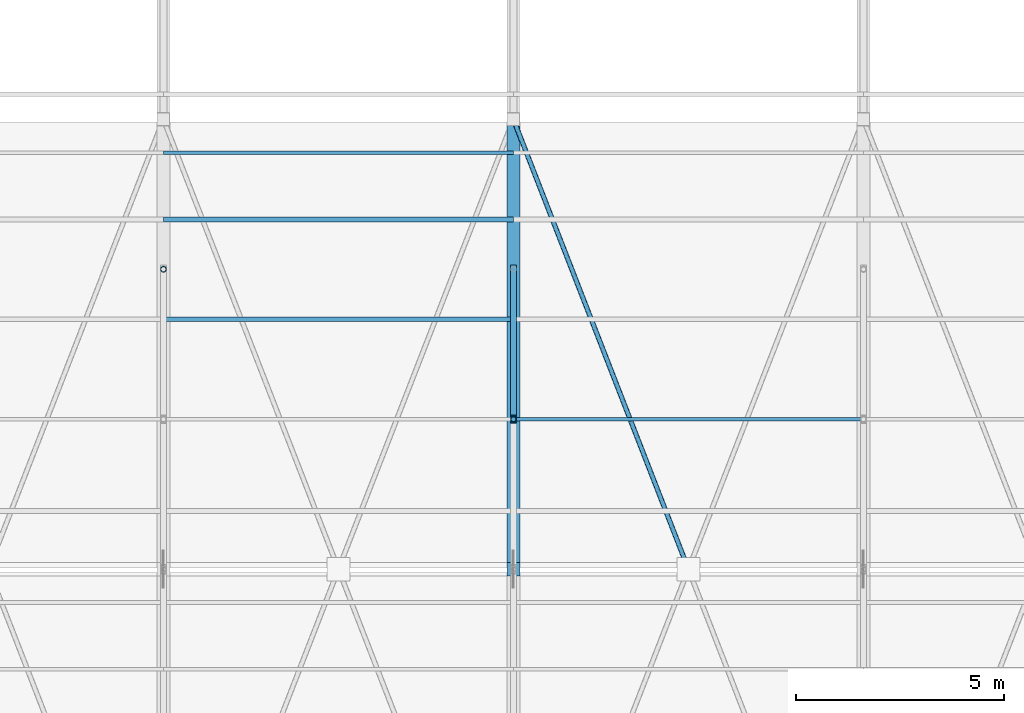
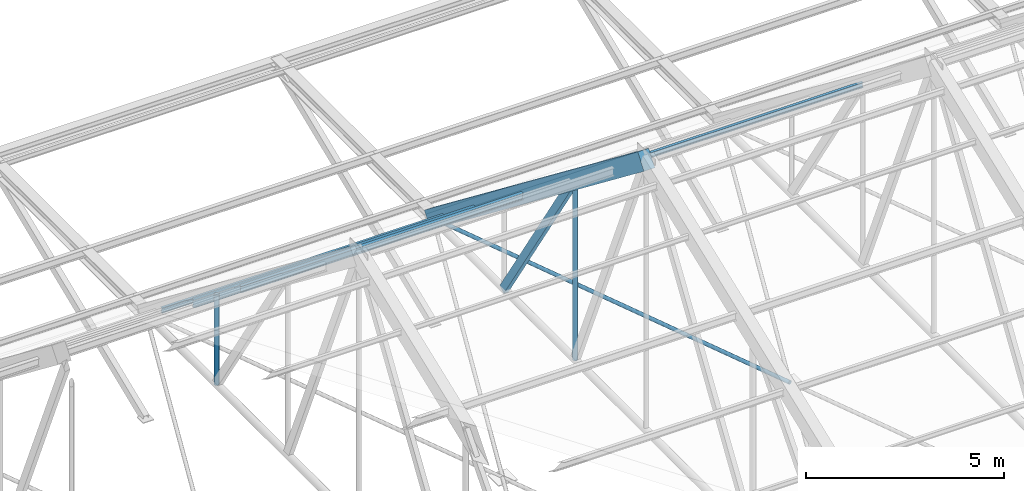
# One storey, part 122 of 217: 9 members.
"""IFC4 building model written with IfcOpenShell, lengths in metres."""

from ifc_helpers import new_model, si_unit, direction, frame, origin, origin_2d, place, context, subcontext, project, spatial, rectangle, hollow_rectangle, hollow_circle, i_section, extrude, material, material_profile, profile_set, type_object, element, save


model = new_model("IFC4")

# Units and contexts
model_context = context("Model", 3, precision=1e-05, world=origin(), true_north=direction((0.0, 1.0)))
body_context = subcontext(model_context, "Body", "Model", "MODEL_VIEW")
ifc_project = project(units=[si_unit("LENGTHUNIT", "METRE"), si_unit("AREAUNIT", "SQUARE_METRE"), si_unit("VOLUMEUNIT", "CUBIC_METRE"), si_unit("PLANEANGLEUNIT", "RADIAN"), si_unit("MASSUNIT", "GRAM", prefix="KILO")], contexts=[model_context])

# Site, building, storey
site_placement = place(None, origin())
site = spatial("IfcSite", under=ifc_project, at=site_placement, CompositionType="ELEMENT")
building_placement = place(site_placement, origin())
building = spatial("IfcBuilding", under=site, at=building_placement, Name="Mazaris Harbour Polytechnic", CompositionType="ELEMENT")
storey_placement = place(building_placement, frame((0.0, 0.0, 9.60009765625)))
storey = spatial("IfcBuildingStorey", under=building, at=storey_placement, Name="L02", CompositionType="ELEMENT", Elevation=9.60009765625)

# Members
ifc_material_1 = material(Name="Glulam GL32h", Category="wood")
ifc_material_profile_1 = material_profile(ifc_material_1, rectangle(XDim=0.320068359375, YDim=0.52001953125, at=origin_2d()), Name="RECT320x520")
ifc_profile_set_1 = profile_set([ifc_material_profile_1], Name="Glulam GL32h")
member_type_1 = type_object("IfcMemberType", Name="Glulam Top Chord 320x520", PredefinedType="CHORD", material=ifc_profile_set_1)
member_1_placement = place(storey_placement, frame((87.60009765625, 97.199951171875, 12.099853515625), z_axis=(0.0, 0.791130406401, -0.611647512926), x_axis=(-1.0, 0.0, 0.0)))
element("IfcMember", 1, at=member_1_placement, inside=storey, type_object=member_type_1, Name="Truss 5 North Glulam Top Chord", PredefinedType="CHORD", context=body_context, shape_type="SweptSolid", body=[
    extrude(rectangle(XDim=0.320068359375, YDim=0.52001953125, at=origin_2d()), origin(), (0.0, 0.0, 1.0), 13.6513671875),
])
ifc_material_2 = material(Name="Steel S355", Category="steel")
ifc_material_profile_2 = material_profile(ifc_material_2, i_section(OverallWidth=0.08203125, OverallDepth=0.159912109375, WebThickness=0.0048828125, FlangeThickness=0.00732421875, FilletRadius=0.009033203125, at=origin_2d()), Name="IPE 160")
ifc_profile_set_2 = profile_set([ifc_material_profile_2], Name="Steel S355")
member_type_2 = type_object("IfcMemberType", Name="Steel Purlin IPE160", PredefinedType="PURLIN", material=ifc_profile_set_2)
member_2_placement = place(storey_placement, frame((79.199951171875, 107.199951171875, 4.3310546875), z_axis=(1.0, 0.0, 0.0), x_axis=(0.0, 1.0, 0.0)))
element("IfcMember", 2, at=member_2_placement, inside=storey, type_object=member_type_2, Name="V1 Roof Purlin N-81", PredefinedType="PURLIN", context=body_context, shape_type="SweptSolid", body=[
    extrude(i_section(OverallWidth=0.08203125, OverallDepth=0.159912109375, WebThickness=0.0048828125, FlangeThickness=0.00732421875, FilletRadius=0.009033203125, at=origin_2d()), origin(), (0.0, 0.0, 1.0), 8.400146484375),
])
member_3_placement = place(storey_placement, frame((87.60009765625, 100.800048828125, 9.308837890625), z_axis=(1.0, 0.0, 0.0), x_axis=(0.0, 1.0, 0.0)))
element("IfcMember", 3, at=member_3_placement, inside=storey, type_object=member_type_2, Name="V1 Roof Purlin N-99", PredefinedType="PURLIN", context=body_context, shape_type="SweptSolid", body=[
    extrude(i_section(OverallWidth=0.08203125, OverallDepth=0.159912109375, WebThickness=0.0048828125, FlangeThickness=0.00732421875, FilletRadius=0.009033203125, at=origin_2d()), origin(), (0.0, 0.0, 1.0), 8.39990234375),
])
ifc_material_3 = material(Name="Steel S355", Category="steel")
ifc_material_profile_3 = material_profile(ifc_material_3, i_section(OverallWidth=0.10009765625, OverallDepth=0.199951171875, WebThickness=0.005615234375, FlangeThickness=0.008544921875, FilletRadius=0.011962890625, at=origin_2d()), Name="IPE 200")
ifc_profile_set_3 = profile_set([ifc_material_profile_3], Name="Steel S355")
member_type_3 = type_object("IfcMemberType", Name="Steel Purlin IPE200", PredefinedType="PURLIN", material=ifc_profile_set_3)
member_4_placement = place(storey_placement, frame((79.199951171875, 103.199951171875, 7.4130859375), z_axis=(1.0, 0.0, 0.0), x_axis=(0.0, 1.0, 0.0)))
element("IfcMember", 4, at=member_4_placement, inside=storey, type_object=member_type_3, Name="V1 Roof Purlin N-79", PredefinedType="PURLIN", context=body_context, shape_type="SweptSolid", body=[
    extrude(i_section(OverallWidth=0.10009765625, OverallDepth=0.199951171875, WebThickness=0.005615234375, FlangeThickness=0.008544921875, FilletRadius=0.011962890625, at=origin_2d()), origin(), (0.0, 0.0, 1.0), 8.400146484375),
])
ifc_material_4 = material(Name="Steel S355", Category="steel")
ifc_material_profile_4 = material_profile(ifc_material_4, i_section(OverallWidth=0.1201171875, OverallDepth=0.239990234375, WebThickness=0.006103515625, FlangeThickness=0.009765625, FilletRadius=0.014892578125, at=origin_2d()), Name="IPE 240")
ifc_profile_set_4 = profile_set([ifc_material_profile_4], Name="Steel S355")
member_type_4 = type_object("IfcMemberType", Name="Steel Purlin IPE240", PredefinedType="PURLIN", material=ifc_profile_set_4)
member_5_placement = place(storey_placement, frame((79.199951171875, 105.60009765625, 5.5166015625), z_axis=(1.0, 0.0, 0.0), x_axis=(0.0, 1.0, 0.0)))
element("IfcMember", 5, at=member_5_placement, inside=storey, type_object=member_type_4, Name="V1 Roof Purlin N-80", PredefinedType="PURLIN", context=body_context, shape_type="SweptSolid", body=[
    extrude(i_section(OverallWidth=0.1201171875, OverallDepth=0.239990234375, WebThickness=0.006103515625, FlangeThickness=0.009765625, FilletRadius=0.014892578125, at=origin_2d()), origin(), (0.0, 0.0, 1.0), 8.400146484375),
])
ifc_material_5 = material(Name="Steel S355", Category="steel")
ifc_material_profile_5 = material_profile(ifc_material_5, hollow_rectangle(XDim=0.139892578125, YDim=0.239990234375, WallThickness=0.010009765625, at=origin_2d()), Name="RHS 140x240x10.0")
ifc_profile_set_5 = profile_set([ifc_material_profile_5], Name="Steel S355")
member_type_5 = type_object("IfcMemberType", Name="Steel Truss Diagonal RHS140x240", PredefinedType="BRACE", material=ifc_profile_set_5)
member_6_placement = place(storey_placement, frame((87.60009765625, 104.39990234375, 3.75), z_axis=(0.0, -0.543028315091, 0.839714385377), x_axis=(1.0, 0.0, 0.0)))
element("IfcMember", 6, at=member_6_placement, inside=storey, type_object=member_type_5, Name="Truss 5 Web Diagonal N2", PredefinedType="BRACE", context=body_context, shape_type="SweptSolid", body=[
    extrude(hollow_rectangle(XDim=0.139892578125, YDim=0.239990234375, WallThickness=0.010009765625, at=origin_2d()), origin(), (0.0, 0.0, 1.0), 6.629150390625),
])
ifc_material_6 = material(Name="Steel S355", Category="steel")
ifc_material_profile_6 = material_profile(ifc_material_6, hollow_circle(Radius=0.06982421875, WallThickness=0.008056640625, at=origin_2d()), Name="CHS 139.7x8.0")
ifc_profile_set_6 = profile_set([ifc_material_profile_6], Name="Steel S355")
member_type_6 = type_object("IfcMemberType", Name="Steel Truss Strut CHS139", PredefinedType="STRUT", material=ifc_profile_set_6)
member_7_placement = place(storey_placement, frame((79.199951171875, 104.39990234375, 3.75), z_axis=(0.0, 0.0, 1.0), x_axis=(1.0, 0.0, 0.0)))
element("IfcMember", 7, at=member_7_placement, inside=storey, type_object=member_type_6, Name="Truss 4 Web Post N2", PredefinedType="STRUT", context=body_context, shape_type="SweptSolid", body=[
    extrude(hollow_circle(Radius=0.06982421875, WallThickness=0.008056640625, at=origin_2d()), origin(), (0.0, 0.0, 1.0), 2.783203125),
])
member_8_placement = place(storey_placement, frame((87.60009765625, 100.800048828125, 3.75), z_axis=(0.0, 0.0, 1.0), x_axis=(1.0, 0.0, 0.0)))
element("IfcMember", 8, at=member_8_placement, inside=storey, type_object=member_type_6, Name="Truss 5 Web Post N1", PredefinedType="STRUT", context=body_context, shape_type="SweptSolid", body=[
    extrude(hollow_circle(Radius=0.06982421875, WallThickness=0.008056640625, at=origin_2d()), origin(), (0.0, 0.0, 1.0), 5.566650390625),
])
ifc_material_7 = material(Name="Steel S355", Category="steel")
ifc_material_profile_7 = material_profile(ifc_material_7, hollow_circle(Radius=0.05712890625, WallThickness=0.00634765625, at=origin_2d()), Name="CHS 114.3x6.3")
ifc_profile_set_7 = profile_set([ifc_material_profile_7], Name="Steel S355")
member_type_7 = type_object("IfcMemberType", Name="Steel Wind Brace CHS114", PredefinedType="BRACE", material=ifc_profile_set_7)
member_9_placement = place(storey_placement, frame((87.60009765625, 108.0, 3.75), z_axis=(0.3624411776, -0.932006648463, 0.0), x_axis=(0.932006648463, 0.3624411776, 0.0)))
element("IfcMember", 9, at=member_9_placement, inside=storey, type_object=member_type_7, Name="V1 Split Roof Wind Brace 5B1", PredefinedType="BRACE", context=body_context, shape_type="SweptSolid", body=[
    extrude(hollow_circle(Radius=0.05712890625, WallThickness=0.00634765625, at=origin_2d()), origin(), (0.0, 0.0, 1.0), 11.587890625),
])

save(model, "model.ifc")
